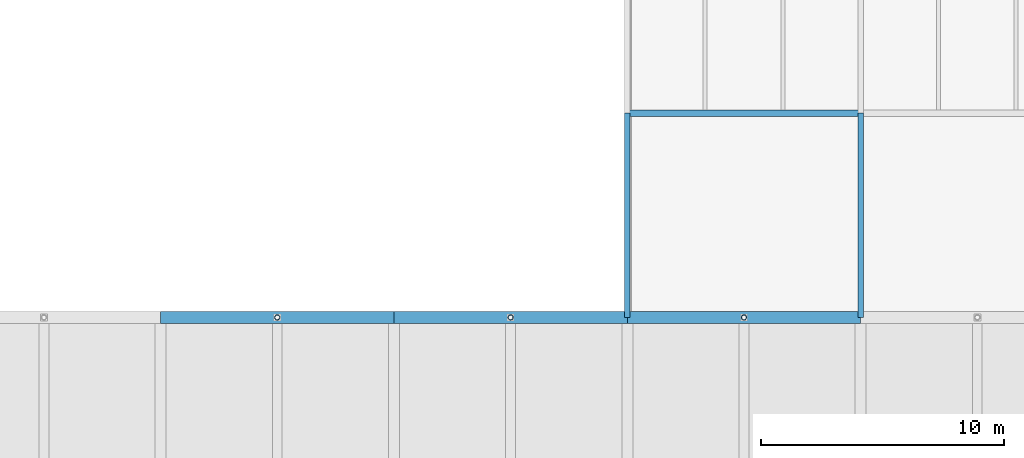
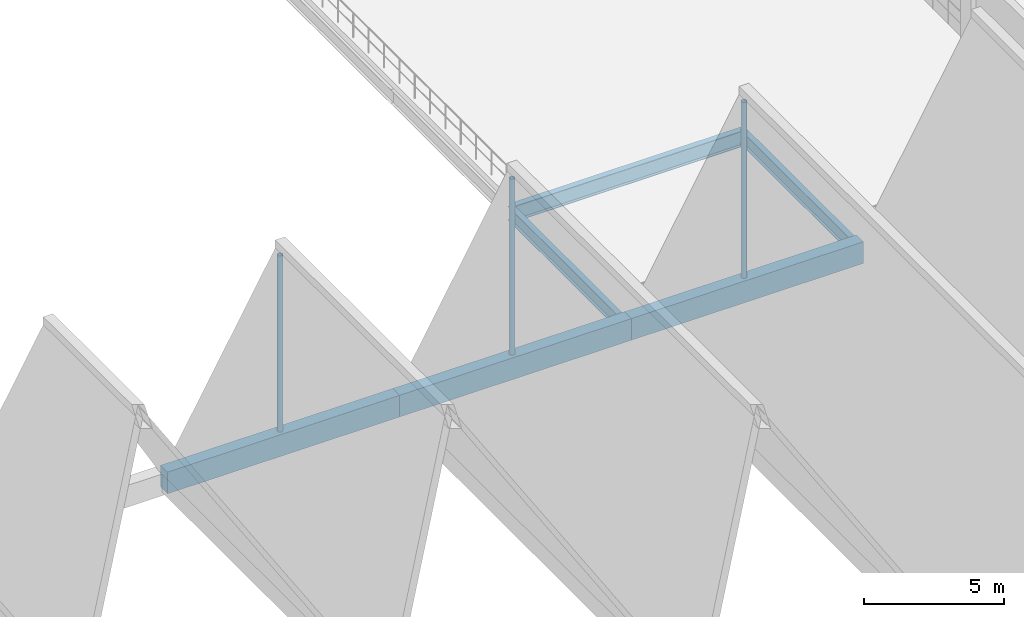
# One storey, part 10 of 86: 6 beams, 3 members, 1 element without a shape of its own.
"""IFC4 building model written with IfcOpenShell, lengths in metres."""

from ifc_helpers import new_model, si_unit, direction, frame, origin, origin_2d, place, context, subcontext, project, spatial, rectangle, hollow_circle, i_section, extrude, material, material_profile, profile_set, type_object, element, aggregate, save


model = new_model("IFC4")

# Units and contexts
model_context = context("Model", 3, precision=1e-05, world=origin(), true_north=direction((0.0, 1.0)))
body_context = subcontext(model_context, "Body", "Model", "MODEL_VIEW")
ifc_project = project(units=[si_unit("LENGTHUNIT", "METRE"), si_unit("AREAUNIT", "SQUARE_METRE"), si_unit("VOLUMEUNIT", "CUBIC_METRE"), si_unit("PLANEANGLEUNIT", "RADIAN"), si_unit("MASSUNIT", "GRAM", prefix="KILO")], contexts=[model_context])

# Site, building, storey
site_placement = place(None, origin())
site = spatial("IfcSite", under=ifc_project, at=site_placement, CompositionType="ELEMENT")
building_placement = place(site_placement, origin())
building = spatial("IfcBuilding", under=site, at=building_placement, Name="Oolite Switchyard Hospital", CompositionType="ELEMENT")
storey_placement = place(building_placement, frame((0.0, 0.0, 13.5)))
storey = spatial("IfcBuildingStorey", under=building, at=storey_placement, Name="L03", CompositionType="ELEMENT", Elevation=13.5)

# Roof, beams
ifc_material_1 = material(Name="Concrete C40/50", Category="concrete")
roof_type = type_object("IfcRoofType", Name="ROOF-FOLDED", PredefinedType="FREEFORM", material=ifc_material_1)
roof_placement = place(storey_placement, origin())
roof = element("IfcRoof", 1, at=roof_placement, inside=storey, type_object=roof_type, Name="L03 Main Arrival Hall Folded-Plate Roof", PredefinedType="FREEFORM")
ifc_material_profile_1 = material_profile(ifc_material_1, rectangle(XDim=0.5, YDim=0.949951171875, at=origin_2d()), Name="RCG500X950")
ifc_profile_set_1 = profile_set([ifc_material_profile_1], Name="Concrete C40/50")
beam_type_1 = type_object("IfcBeamType", Name="BM-GABLE950", PredefinedType="T_BEAM", material=ifc_profile_set_1)
beam_1_placement = place(storey_placement, frame((96.0, 33.60009765625, -0.47509765625), z_axis=(1.0, 0.0, 0.0), x_axis=(0.0, 1.0, 0.0)))
beam_1 = element("IfcBeam", 2, at=beam_1_placement, type_object=beam_type_1, Name="Main Hall Gable Diaphragm Tie Beam N4", PredefinedType="T_BEAM", context=body_context, shape_type="SweptSolid", body=[
    extrude(rectangle(XDim=0.5, YDim=0.949951171875, at=origin_2d()), origin(), (0.0, 0.0, 1.0), 9.60009765625),
])
beam_2_placement = place(storey_placement, frame((105.60009765625, 33.60009765625, -0.47509765625), z_axis=(1.0, 0.0, 0.0), x_axis=(0.0, 1.0, 0.0)))
beam_2 = element("IfcBeam", 3, at=beam_2_placement, type_object=beam_type_1, Name="Main Hall Gable Diaphragm Tie Beam N5", PredefinedType="T_BEAM", context=body_context, shape_type="SweptSolid", body=[
    extrude(rectangle(XDim=0.5, YDim=0.949951171875, at=origin_2d()), origin(), (0.0, 0.0, 1.0), 9.599853515625),
])
beam_3_placement = place(storey_placement, frame((115.199951171875, 33.60009765625, -0.47509765625), z_axis=(1.0, 0.0, 0.0), x_axis=(0.0, 1.0, 0.0)))
beam_3 = element("IfcBeam", 4, at=beam_3_placement, type_object=beam_type_1, Name="Main Hall Gable Diaphragm Tie Beam N6", PredefinedType="T_BEAM", context=body_context, shape_type="SweptSolid", body=[
    extrude(rectangle(XDim=0.5, YDim=0.949951171875, at=origin_2d()), origin(), (0.0, 0.0, 1.0), 9.60009765625),
])

# Beams
ifc_material_2 = material(Name="Steel ASTM A992 Grade 50", Category="steel")
ifc_material_profile_2 = material_profile(ifc_material_2, i_section(OverallWidth=0.22900390625, OverallDepth=0.612060546875, WebThickness=0.011962890625, FlangeThickness=0.02001953125, at=origin_2d()), Name="W24X84")
ifc_profile_set_2 = profile_set([ifc_material_profile_2], Name="Steel ASTM A992 Grade 50")
beam_type_2 = type_object("IfcBeamType", Name="BM-W24X84", PredefinedType="BEAM", material=ifc_profile_set_2)
for number, where, z_axis, x_axis, name in (
    (5, (115.199951171875, 33.60009765625, -0.595947265625), (0.0, 1.0, 0.0), (-1.0, 0.0, 0.0), "L03 Y-Girder 2265"),
    (6, (124.800048828125, 33.60009765625, -0.595947265625), (0.0, 1.0, 0.0), (-1.0, 0.0, 0.0), "L03 Y-Girder 2274"),
):
    element("IfcBeam", number, at=place(storey_placement, frame(where, z_axis=z_axis, x_axis=x_axis)), inside=storey, type_object=beam_type_2, Name=name, PredefinedType="BEAM", context=body_context, shape_type="SweptSolid", body=[
        extrude(i_section(OverallWidth=0.22900390625, OverallDepth=0.612060546875, WebThickness=0.011962890625, FlangeThickness=0.02001953125, at=origin_2d()), origin(), (0.0, 0.0, 1.0), 8.39990234375),
    ])
ifc_material_profile_3 = material_profile(ifc_material_2, i_section(OverallWidth=0.25390625, OverallDepth=0.68408203125, WebThickness=0.011962890625, FlangeThickness=0.01904296875, at=origin_2d()), Name="W27X94")
ifc_profile_set_3 = profile_set([ifc_material_profile_3], Name="Steel ASTM A992 Grade 50")
beam_type_3 = type_object("IfcBeamType", Name="BM-W27X94", PredefinedType="BEAM", material=ifc_profile_set_3)
beam_4_placement = place(storey_placement, frame((115.199951171875, 42.0, -0.632080078125), z_axis=(1.0, 0.0, 0.0), x_axis=(0.0, 1.0, 0.0)))
element("IfcBeam", 7, at=beam_4_placement, inside=storey, type_object=beam_type_3, Name="L03 X-Girder 1969", PredefinedType="BEAM", context=body_context, shape_type="SweptSolid", body=[
    extrude(i_section(OverallWidth=0.25390625, OverallDepth=0.68408203125, WebThickness=0.011962890625, FlangeThickness=0.01904296875, at=origin_2d()), origin(), (0.0, 0.0, 1.0), 9.60009765625),
])

# Member
ifc_material_3 = material(Name="Steel ASTM A500 Grade C", Category="steel")
ifc_material_profile_4 = material_profile(ifc_material_3, hollow_circle(Radius=0.109619140625, WallThickness=0.012939453125, at=origin_2d()), Name="HSS219X13")
ifc_profile_set_4 = profile_set([ifc_material_profile_4], Name="Steel ASTM A500 Grade C")
member_type = type_object("IfcMemberType", Name="MEM-ST-CHS219", PredefinedType="STRUT", material=ifc_profile_set_4)
member_1_placement = place(storey_placement, frame((100.800048828125, 33.60009765625, 0.0), z_axis=(0.0, 0.0, 1.0), x_axis=(1.0, 0.0, 0.0)))
member_1 = element("IfcMember", 8, at=member_1_placement, type_object=member_type, Name="Main Hall Gable King-Post Strut N4", PredefinedType="STRUT", context=body_context, shape_type="SweptSolid", body=[
    extrude(hollow_circle(Radius=0.109619140625, WallThickness=0.012939453125, at=origin_2d()), origin(), (0.0, 0.0, 1.0), 7.699951171875),
])

member_2_placement = place(storey_placement, frame((110.39990234375, 33.60009765625, 0.0), z_axis=(0.0, 0.0, 1.0), x_axis=(1.0, 0.0, 0.0)))
member_2 = element("IfcMember", 9, at=member_2_placement, type_object=member_type, Name="Main Hall Gable King-Post Strut N5", PredefinedType="STRUT", context=body_context, shape_type="SweptSolid", body=[
    extrude(hollow_circle(Radius=0.109619140625, WallThickness=0.012939453125, at=origin_2d()), origin(), (0.0, 0.0, 1.0), 7.699951171875),
])

member_3_placement = place(storey_placement, frame((120.0, 33.60009765625, 0.0), z_axis=(0.0, 0.0, 1.0), x_axis=(1.0, 0.0, 0.0)))
member_3 = element("IfcMember", 10, at=member_3_placement, type_object=member_type, Name="Main Hall Gable King-Post Strut N6", PredefinedType="STRUT", context=body_context, shape_type="SweptSolid", body=[
    extrude(hollow_circle(Radius=0.109619140625, WallThickness=0.012939453125, at=origin_2d()), origin(), (0.0, 0.0, 1.0), 7.699951171875),
])

aggregate(roof, [beam_1, member_1, beam_2, member_2, beam_3, member_3])

save(model, "model.ifc")
